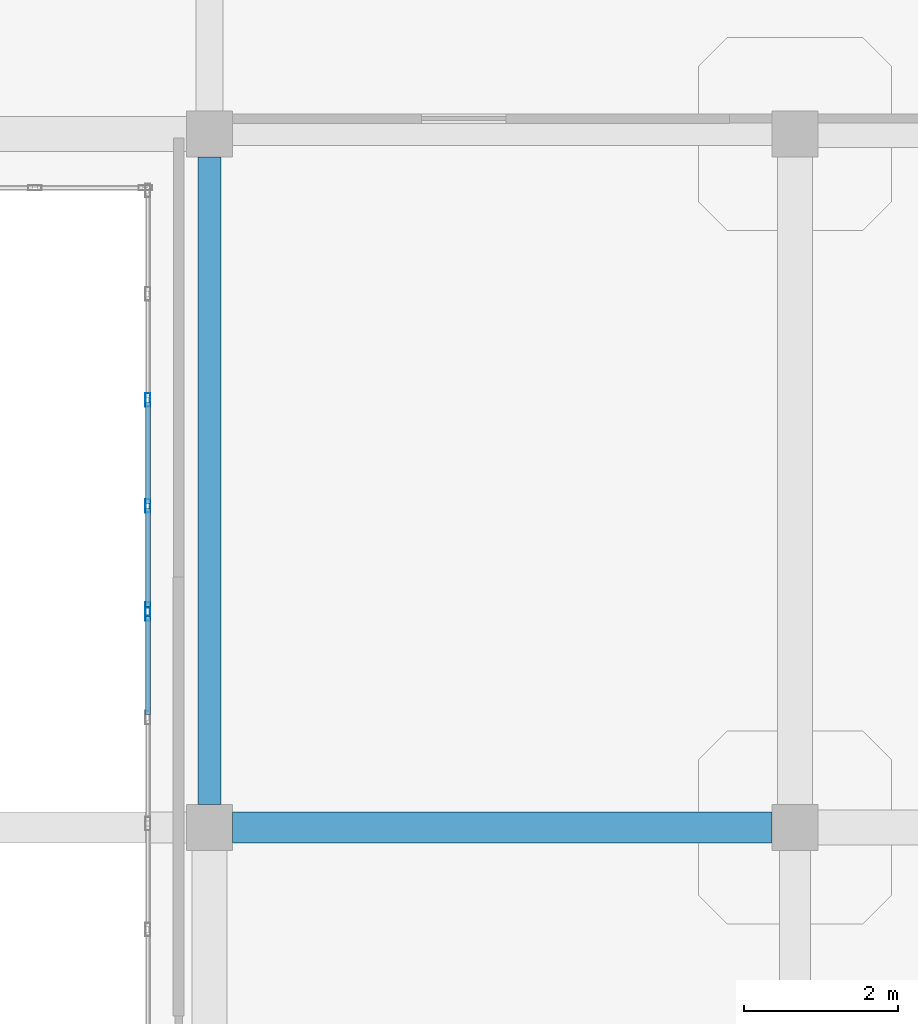
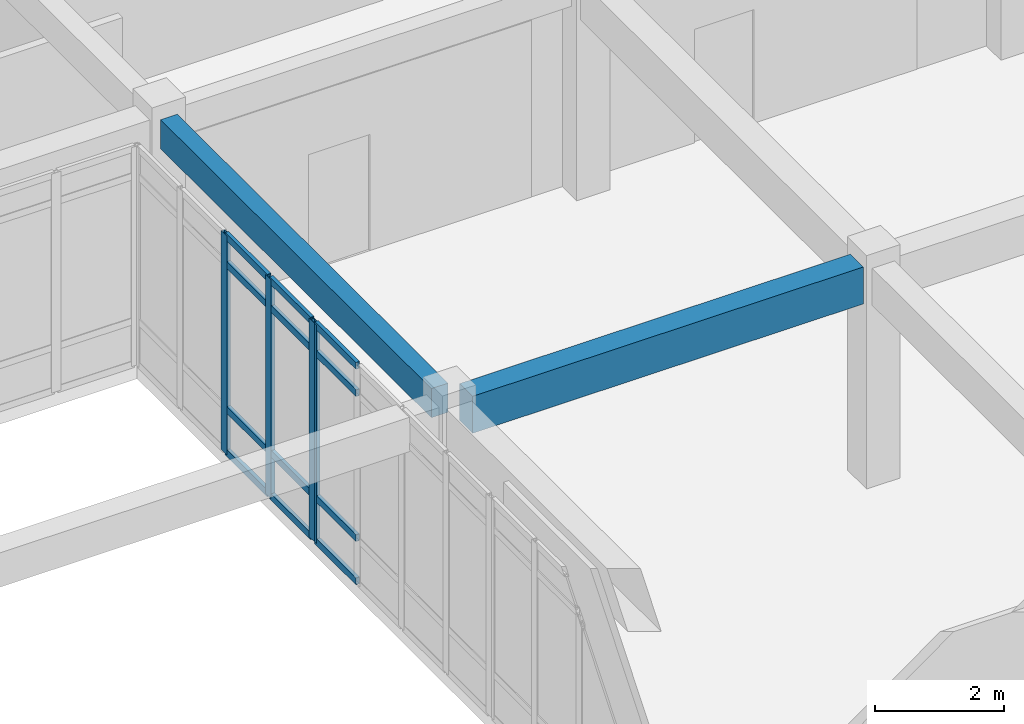
# One storey, part 76 of 142: 16 members, 2 beams, 2 elements without a shape of their own.
"""IFC4 building model written with IfcOpenShell, lengths in metres."""

from ifc_helpers import new_model, si_unit, direction, frame, origin, origin_2d, place, context, subcontext, project, spatial, rectangle, hollow_rectangle, extrude, material, layer, layer_set, material_profile, profile_set, type_object, element, aggregate, save


model = new_model("IFC4")

# Units and contexts
model_context = context("Model", 3, precision=1e-05, world=origin(), true_north=direction((0.0, 1.0)))
body_context = subcontext(model_context, "Body", "Model", "MODEL_VIEW")
ifc_project = project(units=[si_unit("LENGTHUNIT", "METRE"), si_unit("AREAUNIT", "SQUARE_METRE"), si_unit("VOLUMEUNIT", "CUBIC_METRE"), si_unit("PLANEANGLEUNIT", "RADIAN"), si_unit("MASSUNIT", "GRAM", prefix="KILO")], contexts=[model_context])

# Site, building, storey
site_placement = place(None, origin())
site = spatial("IfcSite", under=ifc_project, at=site_placement, CompositionType="ELEMENT")
building_placement = place(site_placement, origin())
building = spatial("IfcBuilding", under=site, at=building_placement, Name="Valcora Specialist Clinic", CompositionType="ELEMENT")
storey_placement = place(building_placement, frame((0.0, 0.0, 5.10009765625)))
storey = spatial("IfcBuildingStorey", under=building, at=storey_placement, Name="L01", CompositionType="ELEMENT", Elevation=5.10009765625)

# Beams
ifc_material_1 = material(Name="Concrete C40/50", Category="concrete")
ifc_material_profile_1 = material_profile(ifc_material_1, rectangle(XDim=0.300048828125, YDim=0.550048828125, at=origin_2d()), Name="RC-BM-300X550")
ifc_profile_set_1 = profile_set([ifc_material_profile_1], Name="Concrete C40/50")
beam_type_1 = type_object("IfcBeamType", Name="TY-BM-RC300X550", PredefinedType="BEAM", material=ifc_profile_set_1)
beam_1_placement = place(storey_placement, frame((90.800048828125, 90.5, 3.869873046875), z_axis=(0.0, 1.0, 0.0), x_axis=(-1.0, 0.0, 0.0)))
element("IfcBeam", 1, at=beam_1_placement, inside=storey, type_object=beam_type_1, Name="Beam BM-L01-0671", PredefinedType="BEAM", context=body_context, shape_type="SweptSolid", body=[
    extrude(rectangle(XDim=0.300048828125, YDim=0.550048828125, at=origin_2d()), origin(), (0.0, 0.0, 1.0), 8.39990234375),
])
ifc_material_profile_2 = material_profile(ifc_material_1, rectangle(XDim=0.39990234375, YDim=0.699951171875, at=origin_2d()), Name="RC-BM-400X700")
ifc_profile_set_2 = profile_set([ifc_material_profile_2], Name="Concrete C40/50")
beam_type_2 = type_object("IfcBeamType", Name="TY-BM-RC400X700", PredefinedType="BEAM", material=ifc_profile_set_2)
beam_2_placement = place(storey_placement, frame((91.10009765625, 90.199951171875, 3.794921875), z_axis=(1.0, 0.0, 0.0), x_axis=(0.0, 1.0, 0.0)))
element("IfcBeam", 2, at=beam_2_placement, inside=storey, type_object=beam_type_2, Name="Beam BM-L01-0634", PredefinedType="BEAM", context=body_context, shape_type="SweptSolid", body=[
    extrude(rectangle(XDim=0.39990234375, YDim=0.699951171875, at=origin_2d()), origin(), (0.0, 0.0, 1.0), 7.0),
])

# Curtain wall, member
ifc_material_2 = material(Name="Anodized Bronze Aluminium 6063-T6", Category="aluminium")
ifc_layer = layer(ifc_material_2, 0.175048828125)
ifc_layer_set = layer_set([ifc_layer], Name="Anodized Bronze Aluminium 6063-T6")
curtain_wall_type = type_object("IfcCurtainWallType", Name="TY-CW-CRT15", PredefinedType="NOTDEFINED", material=ifc_layer_set)
curtain_wall_1_placement = place(storey_placement, origin())
curtain_wall_1 = element("IfcCurtainWall", 3, at=curtain_wall_1_placement, inside=storey, type_object=curtain_wall_type, Name="Curtain wall CW-L01-065", PredefinedType="NOTDEFINED")
ifc_material_profile_3 = material_profile(ifc_material_2, hollow_rectangle(XDim=0.06494140625, YDim=0.175048828125, WallThickness=0.00390625, at=origin_2d()), Name="AL-MUL-65X175")
ifc_profile_set_3 = profile_set([ifc_material_profile_3], Name="Anodized Bronze Aluminium 6063-T6")
member_type_1 = type_object("IfcMemberType", Name="TY-CWM-65X175", PredefinedType="MULLION", material=ifc_profile_set_3)
member_1_placement = place(storey_placement, frame((90.0, 92.967529296875, 0.0), z_axis=(0.0, 0.0, 1.0), x_axis=(-1.0, 0.0, 0.0)))
member_1 = element("IfcMember", 4, at=member_1_placement, type_object=member_type_1, Name="CW-CRT-15 mullion 5", PredefinedType="MULLION", context=body_context, shape_type="SweptSolid", body=[
    extrude(hollow_rectangle(XDim=0.06494140625, YDim=0.175048828125, WallThickness=0.00390625, at=origin_2d()), origin(), (0.0, 0.0, 1.0), 4.14501953125),
])

# Curtain wall, members
curtain_wall_2_placement = place(storey_placement, origin())
curtain_wall_2 = element("IfcCurtainWall", 5, at=curtain_wall_2_placement, inside=storey, type_object=curtain_wall_type, Name="Curtain wall CW-L01-066", PredefinedType="NOTDEFINED")
member_2_placement = place(storey_placement, frame((90.0, 93.032470703125, 0.0), z_axis=(0.0, 0.0, 1.0), x_axis=(-1.0, 0.0, 0.0)))
member_2 = element("IfcMember", 6, at=member_2_placement, type_object=member_type_1, Name="CW-CRT-15 mullion 1", PredefinedType="MULLION", context=body_context, shape_type="SweptSolid", body=[
    extrude(hollow_rectangle(XDim=0.06494140625, YDim=0.175048828125, WallThickness=0.00390625, at=origin_2d()), origin(), (0.0, 0.0, 1.0), 4.14501953125),
])
member_3_placement = place(storey_placement, frame((90.0, 94.375, 0.0), z_axis=(0.0, 0.0, 1.0), x_axis=(-1.0, 0.0, 0.0)))
member_3 = element("IfcMember", 7, at=member_3_placement, type_object=member_type_1, Name="CW-CRT-15 mullion 2", PredefinedType="MULLION", context=body_context, shape_type="SweptSolid", body=[
    extrude(hollow_rectangle(XDim=0.06494140625, YDim=0.175048828125, WallThickness=0.00390625, at=origin_2d()), origin(), (0.0, 0.0, 1.0), 4.14501953125),
])
member_4_placement = place(storey_placement, frame((90.0, 95.75, 0.0), z_axis=(0.0, 0.0, 1.0), x_axis=(-1.0, 0.0, 0.0)))
member_4 = element("IfcMember", 8, at=member_4_placement, type_object=member_type_1, Name="CW-CRT-15 mullion 3", PredefinedType="MULLION", context=body_context, shape_type="SweptSolid", body=[
    extrude(hollow_rectangle(XDim=0.06494140625, YDim=0.175048828125, WallThickness=0.00390625, at=origin_2d()), origin(), (0.0, 0.0, 1.0), 4.14501953125),
])

# Member
ifc_material_profile_4 = material_profile(ifc_material_2, hollow_rectangle(XDim=0.06494140625, YDim=0.1298828125, WallThickness=0.00390625, at=origin_2d()), Name="AL-TRN-65X130")
ifc_profile_set_4 = profile_set([ifc_material_profile_4], Name="Anodized Bronze Aluminium 6063-T6")
member_type_2 = type_object("IfcMemberType", Name="TY-CWT-65X130", PredefinedType="USERDEFINED", material=ifc_profile_set_4)
member_5_placement = place(storey_placement, frame((90.0, 91.657470703125, 0.032470703125), z_axis=(0.0, 1.0, 0.0), x_axis=(-1.0, 0.0, 0.0)))
member_5 = element("IfcMember", 9, at=member_5_placement, type_object=member_type_2, Name="CW-CRT-15 transom 4.1", ObjectType="TRANSOM", PredefinedType="USERDEFINED", context=body_context, shape_type="SweptSolid", body=[
    extrude(hollow_rectangle(XDim=0.06494140625, YDim=0.1298828125, WallThickness=0.00390625, at=origin_2d()), origin(), (0.0, 0.0, 1.0), 1.277587890625),
])

member_6_placement = place(storey_placement, frame((90.0, 91.657470703125, 0.849853515625), z_axis=(0.0, 1.0, 0.0), x_axis=(-1.0, 0.0, 0.0)))
member_6 = element("IfcMember", 10, at=member_6_placement, type_object=member_type_2, Name="CW-CRT-15 transom 4.2", ObjectType="TRANSOM", PredefinedType="USERDEFINED", context=body_context, shape_type="SweptSolid", body=[
    extrude(hollow_rectangle(XDim=0.06494140625, YDim=0.1298828125, WallThickness=0.00390625, at=origin_2d()), origin(), (0.0, 0.0, 1.0), 1.277587890625),
])

member_7_placement = place(storey_placement, frame((90.0, 91.657470703125, 3.594970703125), z_axis=(0.0, 1.0, 0.0), x_axis=(-1.0, 0.0, 0.0)))
member_7 = element("IfcMember", 11, at=member_7_placement, type_object=member_type_2, Name="CW-CRT-15 transom 4.3", ObjectType="TRANSOM", PredefinedType="USERDEFINED", context=body_context, shape_type="SweptSolid", body=[
    extrude(hollow_rectangle(XDim=0.06494140625, YDim=0.1298828125, WallThickness=0.00390625, at=origin_2d()), origin(), (0.0, 0.0, 1.0), 1.277587890625),
])

member_8_placement = place(storey_placement, frame((90.0, 91.657470703125, 4.1123046875), z_axis=(0.0, 1.0, 0.0), x_axis=(-1.0, 0.0, 0.0)))
member_8 = element("IfcMember", 12, at=member_8_placement, type_object=member_type_2, Name="CW-CRT-15 transom 4.4", ObjectType="TRANSOM", PredefinedType="USERDEFINED", context=body_context, shape_type="SweptSolid", body=[
    extrude(hollow_rectangle(XDim=0.06494140625, YDim=0.1298828125, WallThickness=0.00390625, at=origin_2d()), origin(), (0.0, 0.0, 1.0), 1.277587890625),
])

aggregate(curtain_wall_1, [member_1, member_5, member_6, member_7, member_8])

member_9_placement = place(storey_placement, frame((90.0, 93.06494140625, 0.032470703125), z_axis=(0.0, 1.0, 0.0), x_axis=(-1.0, 0.0, 0.0)))
member_9 = element("IfcMember", 13, at=member_9_placement, type_object=member_type_2, Name="CW-CRT-15 transom 1.1", ObjectType="TRANSOM", PredefinedType="USERDEFINED", context=body_context, shape_type="SweptSolid", body=[
    extrude(hollow_rectangle(XDim=0.06494140625, YDim=0.1298828125, WallThickness=0.00390625, at=origin_2d()), origin(), (0.0, 0.0, 1.0), 1.277587890625),
])

member_10_placement = place(storey_placement, frame((90.0, 93.06494140625, 0.849853515625), z_axis=(0.0, 1.0, 0.0), x_axis=(-1.0, 0.0, 0.0)))
member_10 = element("IfcMember", 14, at=member_10_placement, type_object=member_type_2, Name="CW-CRT-15 transom 1.2", ObjectType="TRANSOM", PredefinedType="USERDEFINED", context=body_context, shape_type="SweptSolid", body=[
    extrude(hollow_rectangle(XDim=0.06494140625, YDim=0.1298828125, WallThickness=0.00390625, at=origin_2d()), origin(), (0.0, 0.0, 1.0), 1.277587890625),
])

member_11_placement = place(storey_placement, frame((90.0, 93.06494140625, 3.594970703125), z_axis=(0.0, 1.0, 0.0), x_axis=(-1.0, 0.0, 0.0)))
member_11 = element("IfcMember", 15, at=member_11_placement, type_object=member_type_2, Name="CW-CRT-15 transom 1.3", ObjectType="TRANSOM", PredefinedType="USERDEFINED", context=body_context, shape_type="SweptSolid", body=[
    extrude(hollow_rectangle(XDim=0.06494140625, YDim=0.1298828125, WallThickness=0.00390625, at=origin_2d()), origin(), (0.0, 0.0, 1.0), 1.277587890625),
])

member_12_placement = place(storey_placement, frame((90.0, 93.06494140625, 4.1123046875), z_axis=(0.0, 1.0, 0.0), x_axis=(-1.0, 0.0, 0.0)))
member_12 = element("IfcMember", 16, at=member_12_placement, type_object=member_type_2, Name="CW-CRT-15 transom 1.4", ObjectType="TRANSOM", PredefinedType="USERDEFINED", context=body_context, shape_type="SweptSolid", body=[
    extrude(hollow_rectangle(XDim=0.06494140625, YDim=0.1298828125, WallThickness=0.00390625, at=origin_2d()), origin(), (0.0, 0.0, 1.0), 1.277587890625),
])

member_13_placement = place(storey_placement, frame((90.0, 94.407470703125, 0.032470703125), z_axis=(0.0, 1.0, 0.0), x_axis=(-1.0, 0.0, 0.0)))
member_13 = element("IfcMember", 17, at=member_13_placement, type_object=member_type_2, Name="CW-CRT-15 transom 2.1", ObjectType="TRANSOM", PredefinedType="USERDEFINED", context=body_context, shape_type="SweptSolid", body=[
    extrude(hollow_rectangle(XDim=0.06494140625, YDim=0.1298828125, WallThickness=0.00390625, at=origin_2d()), origin(), (0.0, 0.0, 1.0), 1.31005859375),
])

member_14_placement = place(storey_placement, frame((90.0, 94.407470703125, 0.849853515625), z_axis=(0.0, 1.0, 0.0), x_axis=(-1.0, 0.0, 0.0)))
member_14 = element("IfcMember", 18, at=member_14_placement, type_object=member_type_2, Name="CW-CRT-15 transom 2.2", ObjectType="TRANSOM", PredefinedType="USERDEFINED", context=body_context, shape_type="SweptSolid", body=[
    extrude(hollow_rectangle(XDim=0.06494140625, YDim=0.1298828125, WallThickness=0.00390625, at=origin_2d()), origin(), (0.0, 0.0, 1.0), 1.31005859375),
])

member_15_placement = place(storey_placement, frame((90.0, 94.407470703125, 3.594970703125), z_axis=(0.0, 1.0, 0.0), x_axis=(-1.0, 0.0, 0.0)))
member_15 = element("IfcMember", 19, at=member_15_placement, type_object=member_type_2, Name="CW-CRT-15 transom 2.3", ObjectType="TRANSOM", PredefinedType="USERDEFINED", context=body_context, shape_type="SweptSolid", body=[
    extrude(hollow_rectangle(XDim=0.06494140625, YDim=0.1298828125, WallThickness=0.00390625, at=origin_2d()), origin(), (0.0, 0.0, 1.0), 1.31005859375),
])

member_16_placement = place(storey_placement, frame((90.0, 94.407470703125, 4.1123046875), z_axis=(0.0, 1.0, 0.0), x_axis=(-1.0, 0.0, 0.0)))
member_16 = element("IfcMember", 20, at=member_16_placement, type_object=member_type_2, Name="CW-CRT-15 transom 2.4", ObjectType="TRANSOM", PredefinedType="USERDEFINED", context=body_context, shape_type="SweptSolid", body=[
    extrude(hollow_rectangle(XDim=0.06494140625, YDim=0.1298828125, WallThickness=0.00390625, at=origin_2d()), origin(), (0.0, 0.0, 1.0), 1.31005859375),
])

aggregate(curtain_wall_2, [member_2, member_3, member_4, member_9, member_10, member_11, member_12, member_13, member_14, member_15, member_16])

save(model, "model.ifc")
